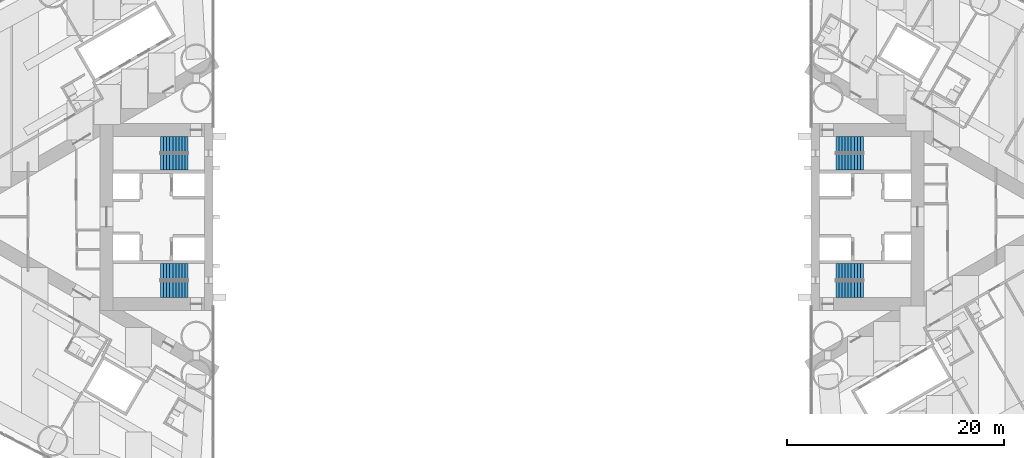
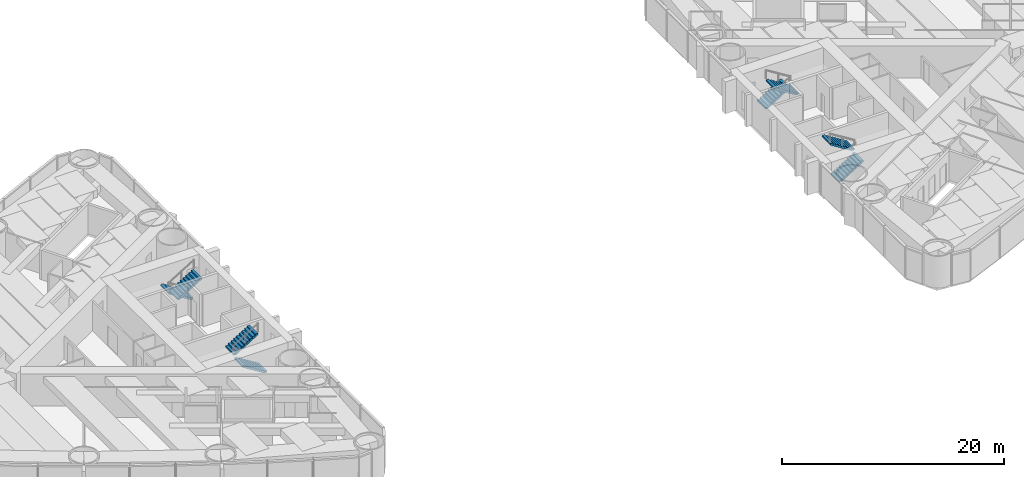
# One storey, part 16 of 18: 8 stair flights, 4 elements without a shape of their own.
"""IFC4 building model written with IfcOpenShell, lengths in metres."""

from ifc_helpers import new_model, si_unit, direction, frame, origin, place, context, subcontext, project, spatial, polyline, outline, extrude, material, type_object, element, aggregate, save


model = new_model("IFC4")

# Units and contexts
model_context = context("Model", 3, precision=1e-05, world=origin(), true_north=direction((0.0, 1.0)))
body_context = subcontext(model_context, "Body", "Model", "MODEL_VIEW")
ifc_project = project(units=[si_unit("LENGTHUNIT", "METRE"), si_unit("AREAUNIT", "SQUARE_METRE"), si_unit("VOLUMEUNIT", "CUBIC_METRE"), si_unit("PLANEANGLEUNIT", "RADIAN"), si_unit("MASSUNIT", "GRAM", prefix="KILO")], contexts=[model_context])

# Site, building, storey
site_placement = place(None, origin())
site = spatial("IfcSite", under=ifc_project, at=site_placement, CompositionType="ELEMENT")
building_placement = place(site_placement, origin())
building = spatial("IfcBuilding", under=site, at=building_placement, Name="Lancet Gate Hotel", CompositionType="ELEMENT")
storey_placement = place(building_placement, frame((0.0, 0.0, 49.5)))
storey = spatial("IfcBuildingStorey", under=building, at=storey_placement, Name="L12", CompositionType="ELEMENT", Elevation=49.5)

# Stair, stair flights
ifc_material_1 = material(Name="Exit stair 20 risers 1500")
stair_type = type_object("IfcStairType", Name="Exit stair 20 risers 1500", PredefinedType="HALF_TURN_STAIR", material=ifc_material_1)
stair_1_placement = place(storey_placement, origin())
stair_1 = element("IfcStair", 1, at=stair_1_placement, inside=storey, type_object=stair_type, Name="T1 stair 1 L12", PredefinedType="HALF_TURN_STAIR")
ifc_material_2 = material(Name="Stair flight 10 risers 175 rise 1500")
stair_flight_type = type_object("IfcStairFlightType", Name="Stair flight 10 risers 175 rise 1500", PredefinedType="STRAIGHT", material=ifc_material_2)
stair_flight_1_placement = place(storey_placement, frame((-29.800048828125, 6.64990234375, 0.0), z_axis=(0.0, 0.0, 1.0), x_axis=(-1.0, 0.0, 0.0)))
stair_flight_1 = element("IfcStairFlight", 2, at=stair_flight_1_placement, type_object=stair_flight_type, Name="ST1 flight 1", NumberOfRisers=10, NumberOfTreads=9, PredefinedType="STRAIGHT", RiserHeight=0.175, TreadLength=0.28, context=body_context, shape_type="SweptSolid", body=[
    extrude(outline(polyline([(0.0, 0.0), (0.0, 0.175048828125), (0.280029296875, 0.175048828125), (0.280029296875, 0.35009765625), (0.56005859375, 0.35009765625), (0.56005859375, 0.52490234375), (0.840087890625, 0.52490234375), (0.840087890625, 0.699951171875), (1.1201171875, 0.699951171875), (1.1201171875, 0.875), (1.39990234375, 0.875), (1.39990234375, 1.050048828125), (1.679931640625, 1.050048828125), (1.679931640625, 1.22509765625), (1.9599609375, 1.22509765625), (1.9599609375, 1.39990234375), (2.239990234375, 1.39990234375), (2.239990234375, 1.574951171875), (2.52001953125, 1.574951171875), (2.52001953125, 1.75), (2.52001953125, 1.398193359375), (0.28271484375, 0.0), (0.0, 0.0)])), frame((0.0, 0.75, 0.0), z_axis=(0.0, -1.0, 0.0), x_axis=(1.0, 0.0, 0.0)), (0.0, 0.0, 1.0), 1.5),
])
stair_flight_2_placement = place(storey_placement, frame((-32.320068359375, 5.050048828125, 1.75), z_axis=(0.0, 0.0, 1.0), x_axis=(1.0, 0.0, 0.0)))
stair_flight_2 = element("IfcStairFlight", 3, at=stair_flight_2_placement, type_object=stair_flight_type, Name="ST1 flight 2", NumberOfRisers=10, NumberOfTreads=9, PredefinedType="STRAIGHT", RiserHeight=0.175, TreadLength=0.28, context=body_context, shape_type="SweptSolid", body=[
    extrude(outline(polyline([(0.0, 0.0), (0.0, 0.175048828125), (0.280029296875, 0.175048828125), (0.280029296875, 0.35009765625), (0.56005859375, 0.35009765625), (0.56005859375, 0.52490234375), (0.840087890625, 0.52490234375), (0.840087890625, 0.699951171875), (1.1201171875, 0.699951171875), (1.1201171875, 0.875), (1.39990234375, 0.875), (1.39990234375, 1.050048828125), (1.679931640625, 1.050048828125), (1.679931640625, 1.22509765625), (1.9599609375, 1.22509765625), (1.9599609375, 1.39990234375), (2.239990234375, 1.39990234375), (2.239990234375, 1.574951171875), (2.52001953125, 1.574951171875), (2.52001953125, 1.75), (2.52001953125, 1.398193359375), (0.28271484375, 0.0), (0.0, 0.0)])), frame((0.0, 0.75, 0.0), z_axis=(0.0, -1.0, 0.0), x_axis=(1.0, 0.0, 0.0)), (0.0, 0.0, 1.0), 1.5),
])
aggregate(stair_1, [stair_flight_1, stair_flight_2])

stair_2_placement = place(storey_placement, origin())
stair_2 = element("IfcStair", 4, at=stair_2_placement, inside=storey, type_object=stair_type, Name="T1 stair 2 L12", PredefinedType="HALF_TURN_STAIR")
stair_flight_3_placement = place(storey_placement, frame((-29.800048828125, -6.64990234375, 0.0), z_axis=(0.0, 0.0, 1.0), x_axis=(-1.0, 0.0, 0.0)))
stair_flight_3 = element("IfcStairFlight", 5, at=stair_flight_3_placement, type_object=stair_flight_type, Name="ST2 flight 1", NumberOfRisers=10, NumberOfTreads=9, PredefinedType="STRAIGHT", RiserHeight=0.175, TreadLength=0.28, context=body_context, shape_type="SweptSolid", body=[
    extrude(outline(polyline([(0.0, 0.0), (0.0, 0.175048828125), (0.280029296875, 0.175048828125), (0.280029296875, 0.35009765625), (0.56005859375, 0.35009765625), (0.56005859375, 0.52490234375), (0.840087890625, 0.52490234375), (0.840087890625, 0.699951171875), (1.1201171875, 0.699951171875), (1.1201171875, 0.875), (1.39990234375, 0.875), (1.39990234375, 1.050048828125), (1.679931640625, 1.050048828125), (1.679931640625, 1.22509765625), (1.9599609375, 1.22509765625), (1.9599609375, 1.39990234375), (2.239990234375, 1.39990234375), (2.239990234375, 1.574951171875), (2.52001953125, 1.574951171875), (2.52001953125, 1.75), (2.52001953125, 1.398193359375), (0.28271484375, 0.0), (0.0, 0.0)])), frame((0.0, 0.75, 0.0), z_axis=(0.0, -1.0, 0.0), x_axis=(1.0, 0.0, 0.0)), (0.0, 0.0, 1.0), 1.5),
])
stair_flight_4_placement = place(storey_placement, frame((-32.320068359375, -5.050048828125, 1.75), z_axis=(0.0, 0.0, 1.0), x_axis=(1.0, 0.0, 0.0)))
stair_flight_4 = element("IfcStairFlight", 6, at=stair_flight_4_placement, type_object=stair_flight_type, Name="ST2 flight 2", NumberOfRisers=10, NumberOfTreads=9, PredefinedType="STRAIGHT", RiserHeight=0.175, TreadLength=0.28, context=body_context, shape_type="SweptSolid", body=[
    extrude(outline(polyline([(0.0, 0.0), (0.0, 0.175048828125), (0.280029296875, 0.175048828125), (0.280029296875, 0.35009765625), (0.56005859375, 0.35009765625), (0.56005859375, 0.52490234375), (0.840087890625, 0.52490234375), (0.840087890625, 0.699951171875), (1.1201171875, 0.699951171875), (1.1201171875, 0.875), (1.39990234375, 0.875), (1.39990234375, 1.050048828125), (1.679931640625, 1.050048828125), (1.679931640625, 1.22509765625), (1.9599609375, 1.22509765625), (1.9599609375, 1.39990234375), (2.239990234375, 1.39990234375), (2.239990234375, 1.574951171875), (2.52001953125, 1.574951171875), (2.52001953125, 1.75), (2.52001953125, 1.398193359375), (0.28271484375, 0.0), (0.0, 0.0)])), frame((0.0, 0.75, 0.0), z_axis=(0.0, -1.0, 0.0), x_axis=(1.0, 0.0, 0.0)), (0.0, 0.0, 1.0), 1.5),
])
aggregate(stair_2, [stair_flight_3, stair_flight_4])

stair_3_placement = place(storey_placement, origin())
stair_3 = element("IfcStair", 7, at=stair_3_placement, inside=storey, type_object=stair_type, Name="T2 stair 1 L12", PredefinedType="HALF_TURN_STAIR")
stair_flight_5_placement = place(storey_placement, frame((29.800048828125, -6.64990234375, 0.0), z_axis=(0.0, 0.0, 1.0), x_axis=(1.0, 0.0, 0.0)))
stair_flight_5 = element("IfcStairFlight", 8, at=stair_flight_5_placement, type_object=stair_flight_type, Name="ST3 flight 1", NumberOfRisers=10, NumberOfTreads=9, PredefinedType="STRAIGHT", RiserHeight=0.175, TreadLength=0.28, context=body_context, shape_type="SweptSolid", body=[
    extrude(outline(polyline([(0.0, 0.0), (0.0, 0.175048828125), (0.280029296875, 0.175048828125), (0.280029296875, 0.35009765625), (0.56005859375, 0.35009765625), (0.56005859375, 0.52490234375), (0.840087890625, 0.52490234375), (0.840087890625, 0.699951171875), (1.1201171875, 0.699951171875), (1.1201171875, 0.875), (1.39990234375, 0.875), (1.39990234375, 1.050048828125), (1.679931640625, 1.050048828125), (1.679931640625, 1.22509765625), (1.9599609375, 1.22509765625), (1.9599609375, 1.39990234375), (2.239990234375, 1.39990234375), (2.239990234375, 1.574951171875), (2.52001953125, 1.574951171875), (2.52001953125, 1.75), (2.52001953125, 1.398193359375), (0.28271484375, 0.0), (0.0, 0.0)])), frame((0.0, 0.75, 0.0), z_axis=(0.0, -1.0, 0.0), x_axis=(1.0, 0.0, 0.0)), (0.0, 0.0, 1.0), 1.5),
])
stair_flight_6_placement = place(storey_placement, frame((32.320068359375, -5.050048828125, 1.75), z_axis=(0.0, 0.0, 1.0), x_axis=(-1.0, 0.0, 0.0)))
stair_flight_6 = element("IfcStairFlight", 9, at=stair_flight_6_placement, type_object=stair_flight_type, Name="ST3 flight 2", NumberOfRisers=10, NumberOfTreads=9, PredefinedType="STRAIGHT", RiserHeight=0.175, TreadLength=0.28, context=body_context, shape_type="SweptSolid", body=[
    extrude(outline(polyline([(0.0, 0.0), (0.0, 0.175048828125), (0.280029296875, 0.175048828125), (0.280029296875, 0.35009765625), (0.56005859375, 0.35009765625), (0.56005859375, 0.52490234375), (0.840087890625, 0.52490234375), (0.840087890625, 0.699951171875), (1.1201171875, 0.699951171875), (1.1201171875, 0.875), (1.39990234375, 0.875), (1.39990234375, 1.050048828125), (1.679931640625, 1.050048828125), (1.679931640625, 1.22509765625), (1.9599609375, 1.22509765625), (1.9599609375, 1.39990234375), (2.239990234375, 1.39990234375), (2.239990234375, 1.574951171875), (2.52001953125, 1.574951171875), (2.52001953125, 1.75), (2.52001953125, 1.398193359375), (0.28271484375, 0.0), (0.0, 0.0)])), frame((0.0, 0.75, 0.0), z_axis=(0.0, -1.0, 0.0), x_axis=(1.0, 0.0, 0.0)), (0.0, 0.0, 1.0), 1.5),
])
aggregate(stair_3, [stair_flight_5, stair_flight_6])

stair_4_placement = place(storey_placement, origin())
stair_4 = element("IfcStair", 10, at=stair_4_placement, inside=storey, type_object=stair_type, Name="T2 stair 2 L12", PredefinedType="HALF_TURN_STAIR")
stair_flight_7_placement = place(storey_placement, frame((29.800048828125, 6.64990234375, 0.0), z_axis=(0.0, 0.0, 1.0), x_axis=(1.0, 0.0, 0.0)))
stair_flight_7 = element("IfcStairFlight", 11, at=stair_flight_7_placement, type_object=stair_flight_type, Name="ST4 flight 1", NumberOfRisers=10, NumberOfTreads=9, PredefinedType="STRAIGHT", RiserHeight=0.175, TreadLength=0.28, context=body_context, shape_type="SweptSolid", body=[
    extrude(outline(polyline([(0.0, 0.0), (0.0, 0.175048828125), (0.280029296875, 0.175048828125), (0.280029296875, 0.35009765625), (0.56005859375, 0.35009765625), (0.56005859375, 0.52490234375), (0.840087890625, 0.52490234375), (0.840087890625, 0.699951171875), (1.1201171875, 0.699951171875), (1.1201171875, 0.875), (1.39990234375, 0.875), (1.39990234375, 1.050048828125), (1.679931640625, 1.050048828125), (1.679931640625, 1.22509765625), (1.9599609375, 1.22509765625), (1.9599609375, 1.39990234375), (2.239990234375, 1.39990234375), (2.239990234375, 1.574951171875), (2.52001953125, 1.574951171875), (2.52001953125, 1.75), (2.52001953125, 1.398193359375), (0.28271484375, 0.0), (0.0, 0.0)])), frame((0.0, 0.75, 0.0), z_axis=(0.0, -1.0, 0.0), x_axis=(1.0, 0.0, 0.0)), (0.0, 0.0, 1.0), 1.5),
])
stair_flight_8_placement = place(storey_placement, frame((32.320068359375, 5.050048828125, 1.75), z_axis=(0.0, 0.0, 1.0), x_axis=(-1.0, 0.0, 0.0)))
stair_flight_8 = element("IfcStairFlight", 12, at=stair_flight_8_placement, type_object=stair_flight_type, Name="ST4 flight 2", NumberOfRisers=10, NumberOfTreads=9, PredefinedType="STRAIGHT", RiserHeight=0.175, TreadLength=0.28, context=body_context, shape_type="SweptSolid", body=[
    extrude(outline(polyline([(0.0, 0.0), (0.0, 0.175048828125), (0.280029296875, 0.175048828125), (0.280029296875, 0.35009765625), (0.56005859375, 0.35009765625), (0.56005859375, 0.52490234375), (0.840087890625, 0.52490234375), (0.840087890625, 0.699951171875), (1.1201171875, 0.699951171875), (1.1201171875, 0.875), (1.39990234375, 0.875), (1.39990234375, 1.050048828125), (1.679931640625, 1.050048828125), (1.679931640625, 1.22509765625), (1.9599609375, 1.22509765625), (1.9599609375, 1.39990234375), (2.239990234375, 1.39990234375), (2.239990234375, 1.574951171875), (2.52001953125, 1.574951171875), (2.52001953125, 1.75), (2.52001953125, 1.398193359375), (0.28271484375, 0.0), (0.0, 0.0)])), frame((0.0, 0.75, 0.0), z_axis=(0.0, -1.0, 0.0), x_axis=(1.0, 0.0, 0.0)), (0.0, 0.0, 1.0), 1.5),
])
aggregate(stair_4, [stair_flight_7, stair_flight_8])

save(model, "model.ifc")
